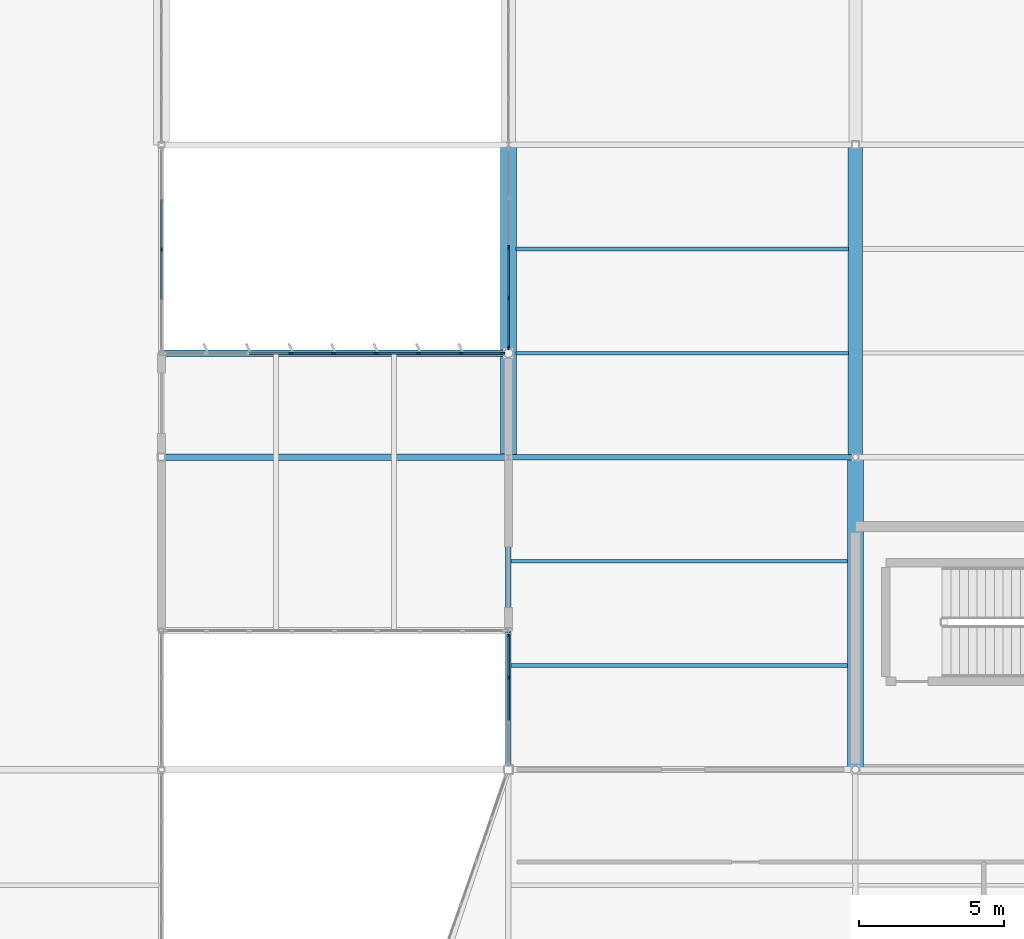
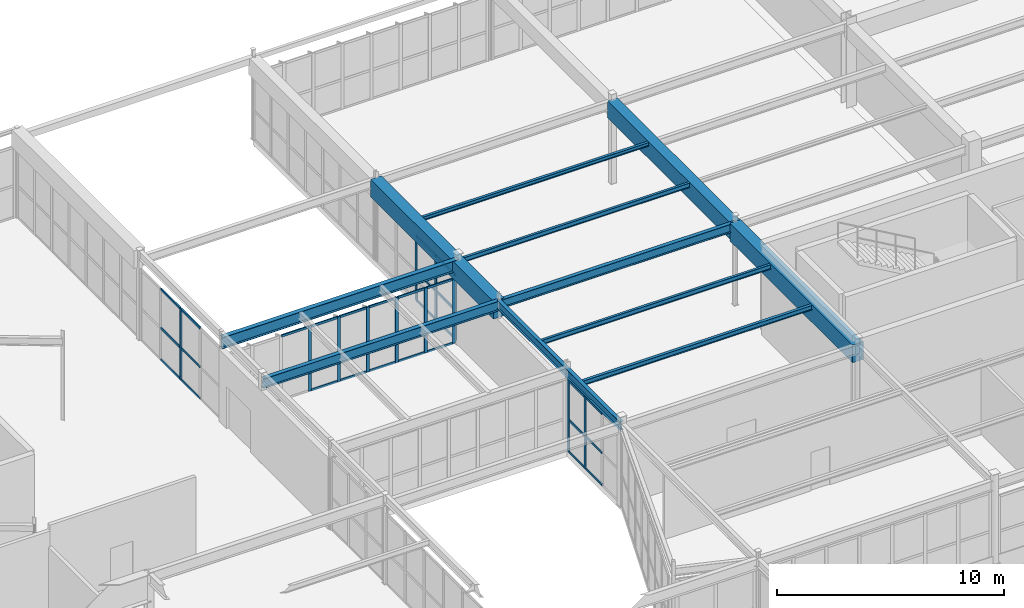
# One storey, part 105 of 186: 46 members, 11 beams, 4 elements without a shape of their own.
"""IFC4 building model written with IfcOpenShell, lengths in metres."""

from ifc_helpers import new_model, si_unit, direction, frame, origin, origin_2d, place, context, subcontext, project, spatial, rectangle, i_section, extrude, material, layer, layer_set, material_profile, profile_set, type_object, element, aggregate, save


model = new_model("IFC4")

# Units and contexts
model_context = context("Model", 3, precision=1e-05, world=origin(), true_north=direction((0.0, 1.0)))
body_context = subcontext(model_context, "Body", "Model", "MODEL_VIEW")
ifc_project = project(units=[si_unit("LENGTHUNIT", "METRE"), si_unit("AREAUNIT", "SQUARE_METRE"), si_unit("VOLUMEUNIT", "CUBIC_METRE"), si_unit("PLANEANGLEUNIT", "RADIAN"), si_unit("MASSUNIT", "GRAM", prefix="KILO")], contexts=[model_context])

# Site, building, storey
site_placement = place(None, origin())
site = spatial("IfcSite", under=ifc_project, at=site_placement, CompositionType="ELEMENT")
building_placement = place(site_placement, origin())
building = spatial("IfcBuilding", under=site, at=building_placement, Name="Tarnwether General Hospital", CompositionType="ELEMENT")
storey_placement = place(building_placement, frame((0.0, 0.0, 9.60009765625)))
storey = spatial("IfcBuildingStorey", under=building, at=storey_placement, Name="L02", CompositionType="ELEMENT", Elevation=9.60009765625)

# Beams
ifc_material_1 = material(Name="Steel Grade 350 (350 MPa)", Category="steel")
ifc_material_profile_1 = material_profile(ifc_material_1, i_section(OverallWidth=0.22900390625, OverallDepth=0.612060546875, WebThickness=0.011962890625, FlangeThickness=0.01953125, at=origin_2d()), Name="610UB125")
ifc_profile_set_1 = profile_set([ifc_material_profile_1], Name="Steel Grade 350 (350 MPa)")
beam_type_1 = type_object("IfcBeamType", Name="BM-G03", PredefinedType="BEAM", material=ifc_profile_set_1)
beam_1_placement = place(storey_placement, frame((132.0, 108.0, 4.183837890625), z_axis=(1.0, 0.0, 0.0), x_axis=(0.0, 1.0, 0.0)))
element("IfcBeam", 1, at=beam_1_placement, inside=storey, type_object=beam_type_1, Name="Court Link Bridge Girder North BMG-L02-13200_10800-14400_10800-1875", PredefinedType="BEAM", context=body_context, shape_type="SweptSolid", body=[
    extrude(i_section(OverallWidth=0.22900390625, OverallDepth=0.612060546875, WebThickness=0.011962890625, FlangeThickness=0.01953125, at=origin_2d()), origin(), (0.0, 0.0, 1.0), 12.0),
])
ifc_material_2 = material(Name="Steel Grade 350 (350 MPa)", Category="steel")
ifc_material_profile_2 = material_profile(ifc_material_2, i_section(OverallWidth=0.208984375, OverallDepth=0.528076171875, WebThickness=0.009521484375, FlangeThickness=0.01318359375, at=origin_2d()), Name="530UB82.0")
ifc_profile_set_2 = profile_set([ifc_material_profile_2], Name="Steel Grade 350 (350 MPa)")
beam_type_2 = type_object("IfcBeamType", Name="BM-G07", PredefinedType="BEAM", material=ifc_profile_set_2)
beam_2_placement = place(storey_placement, frame((132.0, 104.39990234375, 4.180908203125), z_axis=(1.0, 0.0, 0.0), x_axis=(0.0, 1.0, 0.0)))
element("IfcBeam", 2, at=beam_2_placement, inside=storey, type_object=beam_type_2, Name="Primary Girder BMG-L02-13200_10440-14400_10440-1562", PredefinedType="BEAM", context=body_context, shape_type="SweptSolid", body=[
    extrude(i_section(OverallWidth=0.208984375, OverallDepth=0.528076171875, WebThickness=0.009521484375, FlangeThickness=0.01318359375, at=origin_2d()), origin(), (0.0, 0.0, 1.0), 12.0),
])
ifc_material_3 = material(Name="Steel Grade 350 (350 MPa)", Category="steel")
ifc_material_profile_3 = material_profile(ifc_material_3, i_section(OverallWidth=0.19091796875, OverallDepth=0.4599609375, WebThickness=0.010009765625, FlangeThickness=0.01611328125, at=origin_2d()), Name="460UB82.1")
ifc_profile_set_3 = profile_set([ifc_material_profile_3], Name="Steel Grade 350 (350 MPa)")
beam_type_3 = type_object("IfcBeamType", Name="BM-G08", PredefinedType="BEAM", material=ifc_profile_set_3)
beam_3_placement = place(storey_placement, frame((144.0, 104.39990234375, 4.21484375), z_axis=(1.0, 0.0, 0.0), x_axis=(0.0, 1.0, 0.0)))
element("IfcBeam", 3, at=beam_3_placement, inside=storey, type_object=beam_type_3, Name="Primary Girder BMG-L02-14400_10440-15600_10440-1583", PredefinedType="BEAM", context=body_context, shape_type="SweptSolid", body=[
    extrude(i_section(OverallWidth=0.19091796875, OverallDepth=0.4599609375, WebThickness=0.010009765625, FlangeThickness=0.01611328125, at=origin_2d()), origin(), (0.0, 0.0, 1.0), 12.0),
])
ifc_material_4 = material(Name="Steel Grade 350 (350 MPa)", Category="steel")
ifc_material_profile_4 = material_profile(ifc_material_4, i_section(OverallWidth=0.18994140625, OverallDepth=0.4541015625, WebThickness=0.008544921875, FlangeThickness=0.0126953125, at=origin_2d()), Name="460UB67.1")
ifc_profile_set_4 = profile_set([ifc_material_profile_4], Name="Steel Grade 350 (350 MPa)")
beam_type_4 = type_object("IfcBeamType", Name="BM-G10", PredefinedType="BEAM", material=ifc_profile_set_4)
beam_4_placement = place(storey_placement, frame((144.0, 93.60009765625, 4.218017578125), z_axis=(0.0, 1.0, 0.0), x_axis=(-1.0, 0.0, 0.0)))
element("IfcBeam", 4, at=beam_4_placement, inside=storey, type_object=beam_type_4, Name="Primary Girder BMG-L02-14400_9360-14400_10440-1582", PredefinedType="BEAM", context=body_context, shape_type="SweptSolid", body=[
    extrude(i_section(OverallWidth=0.18994140625, OverallDepth=0.4541015625, WebThickness=0.008544921875, FlangeThickness=0.0126953125, at=origin_2d()), origin(), (0.0, 0.0, 1.0), 10.7998046875),
])
ifc_material_5 = material(Name="Concrete 40 MPa", Category="concrete")
ifc_material_profile_5 = material_profile(ifc_material_5, rectangle(XDim=0.550048828125, YDim=0.949951171875, at=origin_2d()), Name="RC-BM-550x950")
ifc_profile_set_5 = profile_set([ifc_material_profile_5], Name="Concrete 40 MPa")
beam_type_5 = type_object("IfcBeamType", Name="BM-G11", PredefinedType="BEAM", material=ifc_profile_set_5)
beam_5_placement = place(storey_placement, frame((144.0, 104.39990234375, 3.969970703125), z_axis=(0.0, 1.0, 0.0), x_axis=(-1.0, 0.0, 0.0)))
element("IfcBeam", 5, at=beam_5_placement, inside=storey, type_object=beam_type_5, Name="Primary Girder BMG-L02-14400_10440-14400_11520-1584", PredefinedType="BEAM", context=body_context, shape_type="SweptSolid", body=[
    extrude(rectangle(XDim=0.550048828125, YDim=0.949951171875, at=origin_2d()), origin(), (0.0, 0.0, 1.0), 10.800048828125),
])
beam_6_placement = place(storey_placement, frame((156.0, 93.60009765625, 3.969970703125), z_axis=(0.0, 1.0, 0.0), x_axis=(-1.0, 0.0, 0.0)))
element("IfcBeam", 6, at=beam_6_placement, inside=storey, type_object=beam_type_5, Name="Primary Girder BMG-L02-15600_9360-15600_10440-1600", PredefinedType="BEAM", context=body_context, shape_type="SweptSolid", body=[
    extrude(rectangle(XDim=0.550048828125, YDim=0.949951171875, at=origin_2d()), origin(), (0.0, 0.0, 1.0), 10.7998046875),
])
ifc_material_6 = material(Name="Concrete 40 MPa", Category="concrete")
ifc_material_profile_6 = material_profile(ifc_material_6, rectangle(XDim=0.5, YDim=0.89990234375, at=origin_2d()), Name="RC-BM-500x900")
ifc_profile_set_6 = profile_set([ifc_material_profile_6], Name="Concrete 40 MPa")
beam_type_6 = type_object("IfcBeamType", Name="BM-G12", PredefinedType="BEAM", material=ifc_profile_set_6)
beam_7_placement = place(storey_placement, frame((156.0, 104.39990234375, 3.994873046875), z_axis=(0.0, 1.0, 0.0), x_axis=(-1.0, 0.0, 0.0)))
element("IfcBeam", 7, at=beam_7_placement, inside=storey, type_object=beam_type_6, Name="Primary Girder BMG-L02-15600_10440-15600_11520-1602", PredefinedType="BEAM", context=body_context, shape_type="SweptSolid", body=[
    extrude(rectangle(XDim=0.5, YDim=0.89990234375, at=origin_2d()), origin(), (0.0, 0.0, 1.0), 10.800048828125),
])
ifc_material_7 = material(Name="Steel Grade 350 (350 MPa)", Category="steel")
ifc_material_profile_7 = material_profile(ifc_material_7, i_section(OverallWidth=0.14599609375, OverallDepth=0.251953125, WebThickness=0.006103515625, FlangeThickness=0.008544921875, at=origin_2d()), Name="250UB31.4")
ifc_profile_set_7 = profile_set([ifc_material_profile_7], Name="Steel Grade 350 (350 MPa)")
beam_type_7 = type_object("IfcBeamType", Name="BM-J10", PredefinedType="JOIST", material=ifc_profile_set_7)
beam_8_placement = place(storey_placement, frame((144.089111328125, 97.199951171875, 4.31884765625), z_axis=(1.0, 0.0, 0.0), x_axis=(0.0, 1.0, 0.0)))
element("IfcBeam", 8, at=beam_8_placement, inside=storey, type_object=beam_type_7, Name="Composite Floor Joist BMG-L02-14409_9720-15573_9720-1716", PredefinedType="JOIST", context=body_context, shape_type="SweptSolid", body=[
    extrude(i_section(OverallWidth=0.14599609375, OverallDepth=0.251953125, WebThickness=0.006103515625, FlangeThickness=0.008544921875, at=origin_2d()), origin(), (0.0, 0.0, 1.0), 11.641845703125),
])
ifc_material_8 = material(Name="Steel Grade 350 (350 MPa)", Category="steel")
ifc_material_profile_8 = material_profile(ifc_material_8, i_section(OverallWidth=0.1240234375, OverallDepth=0.248046875, WebThickness=0.0048828125, FlangeThickness=0.008056640625, at=origin_2d()), Name="250UB25.7")
ifc_profile_set_8 = profile_set([ifc_material_profile_8], Name="Steel Grade 350 (350 MPa)")
beam_type_8 = type_object("IfcBeamType", Name="BM-J11", PredefinedType="JOIST", material=ifc_profile_set_8)
beam_9_placement = place(storey_placement, frame((144.089111328125, 100.800048828125, 4.32080078125), z_axis=(1.0, 0.0, 0.0), x_axis=(0.0, 1.0, 0.0)))
element("IfcBeam", 9, at=beam_9_placement, inside=storey, type_object=beam_type_8, Name="Composite Floor Joist BMG-L02-14409_10080-15573_10080-1717", PredefinedType="JOIST", context=body_context, shape_type="SweptSolid", body=[
    extrude(i_section(OverallWidth=0.1240234375, OverallDepth=0.248046875, WebThickness=0.0048828125, FlangeThickness=0.008056640625, at=origin_2d()), origin(), (0.0, 0.0, 1.0), 11.641845703125),
])
beam_10_placement = place(storey_placement, frame((144.26904296875, 108.0, 4.32080078125), z_axis=(1.0, 0.0, 0.0), x_axis=(0.0, 1.0, 0.0)))
element("IfcBeam", 10, at=beam_10_placement, inside=storey, type_object=beam_type_8, Name="Composite Floor Joist BMG-L02-14427_10800-15576_10800-1718", PredefinedType="JOIST", context=body_context, shape_type="SweptSolid", body=[
    extrude(i_section(OverallWidth=0.1240234375, OverallDepth=0.248046875, WebThickness=0.0048828125, FlangeThickness=0.008056640625, at=origin_2d()), origin(), (0.0, 0.0, 1.0), 11.487060546875),
])
ifc_material_9 = material(Name="Steel Grade 350 (350 MPa)", Category="steel")
ifc_material_profile_9 = material_profile(ifc_material_9, i_section(OverallWidth=0.134033203125, OverallDepth=0.20703125, WebThickness=0.00634765625, FlangeThickness=0.009521484375, at=origin_2d()), Name="200UB29.8")
ifc_profile_set_9 = profile_set([ifc_material_profile_9], Name="Steel Grade 350 (350 MPa)")
beam_type_9 = type_object("IfcBeamType", Name="BM-J12", PredefinedType="JOIST", material=ifc_profile_set_9)
beam_11_placement = place(storey_placement, frame((144.26904296875, 111.60009765625, 4.34130859375), z_axis=(1.0, 0.0, 0.0), x_axis=(0.0, 1.0, 0.0)))
element("IfcBeam", 11, at=beam_11_placement, inside=storey, type_object=beam_type_9, Name="Composite Floor Joist BMG-L02-14427_11160-15576_11160-1719", PredefinedType="JOIST", context=body_context, shape_type="SweptSolid", body=[
    extrude(i_section(OverallWidth=0.134033203125, OverallDepth=0.20703125, WebThickness=0.00634765625, FlangeThickness=0.009521484375, at=origin_2d()), origin(), (0.0, 0.0, 1.0), 11.487060546875),
])

# Curtain wall, members
ifc_material_10 = material(Name="Anodised aluminium", Category="aluminium")
ifc_layer_1 = layer(ifc_material_10, 0.159912109375)
ifc_layer_set_1 = layer_set([ifc_layer_1], Name="Anodised aluminium")
curtain_wall_type_1 = type_object("IfcCurtainWallType", Name="CW-15", PredefinedType="NOTDEFINED", material=ifc_layer_set_1)
curtain_wall_1_placement = place(storey_placement, origin())
curtain_wall_1 = element("IfcCurtainWall", 12, at=curtain_wall_1_placement, inside=storey, type_object=curtain_wall_type_1, Name="Curtain Wall CWG-L02-1440_938-0447", PredefinedType="NOTDEFINED")
ifc_material_11 = material(Name="Anodised aluminium", Category="aluminium")
ifc_material_profile_10 = material_profile(ifc_material_11, rectangle(XDim=0.06005859375, YDim=0.159912109375, at=origin_2d()), Name="ALU-MUL-60x160")
ifc_profile_set_10 = profile_set([ifc_material_profile_10], Name="Anodised aluminium")
member_type_1 = type_object("IfcMemberType", Name="CW-ML1", PredefinedType="MULLION", material=ifc_profile_set_10)
member_1_placement = place(storey_placement, frame((144.0, 96.77734375, 0.0), z_axis=(0.0, 0.0, 1.0), x_axis=(-1.0, 0.0, 0.0)))
member_1 = element("IfcMember", 13, at=member_1_placement, type_object=member_type_1, Name="CW-15 mullion 3", PredefinedType="MULLION", context=body_context, shape_type="SweptSolid", body=[
    extrude(rectangle(XDim=0.06005859375, YDim=0.159912109375, at=origin_2d()), origin(), (0.0, 0.0, 1.0), 3.86279296875),
])
member_2_placement = place(storey_placement, frame((144.0, 98.257080078125, 0.0), z_axis=(0.0, 0.0, 1.0), x_axis=(-1.0, 0.0, 0.0)))
member_2 = element("IfcMember", 14, at=member_2_placement, type_object=member_type_1, Name="CW-15 mullion 4", PredefinedType="MULLION", context=body_context, shape_type="SweptSolid", body=[
    extrude(rectangle(XDim=0.06005859375, YDim=0.159912109375, at=origin_2d()), origin(), (0.0, 0.0, 1.0), 3.86279296875),
])

# Curtain wall, member
curtain_wall_2_placement = place(storey_placement, origin())
curtain_wall_2 = element("IfcCurtainWall", 15, at=curtain_wall_2_placement, inside=storey, type_object=curtain_wall_type_1, Name="Curtain Wall CWG-L02-1320_1151-0449", PredefinedType="NOTDEFINED")
member_3_placement = place(storey_placement, frame((132.0, 111.5810546875, 0.0), z_axis=(0.0, 0.0, 1.0), x_axis=(1.0, 0.0, 0.0)))
member_3 = element("IfcMember", 16, at=member_3_placement, type_object=member_type_1, Name="CW-15 mullion 3", PredefinedType="MULLION", context=body_context, shape_type="SweptSolid", body=[
    extrude(rectangle(XDim=0.06005859375, YDim=0.159912109375, at=origin_2d()), origin(), (0.0, 0.0, 1.0), 3.8349609375),
])

# Curtain wall, members
curtain_wall_3_placement = place(storey_placement, origin())
curtain_wall_3 = element("IfcCurtainWall", 17, at=curtain_wall_3_placement, inside=storey, type_object=curtain_wall_type_1, Name="Curtain Wall CWG-L02-1440_1082-0450", PredefinedType="NOTDEFINED")
member_4_placement = place(storey_placement, frame((144.0, 108.199951171875, 0.0), z_axis=(0.0, 0.0, 1.0), x_axis=(-1.0, 0.0, 0.0)))
member_4 = element("IfcMember", 18, at=member_4_placement, type_object=member_type_1, Name="CW-15 mullion 1", PredefinedType="MULLION", context=body_context, shape_type="SweptSolid", body=[
    extrude(rectangle(XDim=0.06005859375, YDim=0.159912109375, at=origin_2d()), origin(), (0.0, 0.0, 1.0), 3.47998046875),
])
member_5_placement = place(storey_placement, frame((144.0, 109.906494140625, 0.0), z_axis=(0.0, 0.0, 1.0), x_axis=(-1.0, 0.0, 0.0)))
member_5 = element("IfcMember", 19, at=member_5_placement, type_object=member_type_1, Name="CW-15 mullion 2", PredefinedType="MULLION", context=body_context, shape_type="SweptSolid", body=[
    extrude(rectangle(XDim=0.06005859375, YDim=0.159912109375, at=origin_2d()), origin(), (0.0, 0.0, 1.0), 3.47998046875),
])
member_6_placement = place(storey_placement, frame((144.0, 111.64306640625, 0.0), z_axis=(0.0, 0.0, 1.0), x_axis=(-1.0, 0.0, 0.0)))
member_6 = element("IfcMember", 20, at=member_6_placement, type_object=member_type_1, Name="CW-15 mullion 3", PredefinedType="MULLION", context=body_context, shape_type="SweptSolid", body=[
    extrude(rectangle(XDim=0.06005859375, YDim=0.159912109375, at=origin_2d()), origin(), (0.0, 0.0, 1.0), 3.47998046875),
])

ifc_material_12 = material(Name="Anodised aluminium", Category="aluminium")
ifc_layer_2 = layer(ifc_material_12, 0.159912109375)
ifc_layer_set_2 = layer_set([ifc_layer_2], Name="Anodised aluminium")
curtain_wall_type_2 = type_object("IfcCurtainWallType", Name="CW-21", PredefinedType="NOTDEFINED", material=ifc_layer_set_2)
curtain_wall_4_placement = place(storey_placement, origin())
curtain_wall_4 = element("IfcCurtainWall", 21, at=curtain_wall_4_placement, inside=storey, type_object=curtain_wall_type_2, Name="Curtain Wall CWG-L02-1321_1080-0474", PredefinedType="NOTDEFINED")
member_7_placement = place(storey_placement, frame((136.480712890625, 108.0, 0.0), z_axis=(0.0, 0.0, 1.0), x_axis=(0.0, 1.0, 0.0)))
member_7 = element("IfcMember", 22, at=member_7_placement, type_object=member_type_1, Name="CW-21 mullion 4", PredefinedType="MULLION", context=body_context, shape_type="SweptSolid", body=[
    extrude(rectangle(XDim=0.06005859375, YDim=0.159912109375, at=origin_2d()), origin(), (0.0, 0.0, 1.0), 3.47998046875),
])
member_8_placement = place(storey_placement, frame((137.950439453125, 108.0, 0.0), z_axis=(0.0, 0.0, 1.0), x_axis=(0.0, 1.0, 0.0)))
member_8 = element("IfcMember", 23, at=member_8_placement, type_object=member_type_1, Name="CW-21 mullion 5", PredefinedType="MULLION", context=body_context, shape_type="SweptSolid", body=[
    extrude(rectangle(XDim=0.06005859375, YDim=0.159912109375, at=origin_2d()), origin(), (0.0, 0.0, 1.0), 3.47998046875),
])
member_9_placement = place(storey_placement, frame((139.42041015625, 108.0, 0.0), z_axis=(0.0, 0.0, 1.0), x_axis=(0.0, 1.0, 0.0)))
member_9 = element("IfcMember", 24, at=member_9_placement, type_object=member_type_1, Name="CW-21 mullion 6", PredefinedType="MULLION", context=body_context, shape_type="SweptSolid", body=[
    extrude(rectangle(XDim=0.06005859375, YDim=0.159912109375, at=origin_2d()), origin(), (0.0, 0.0, 1.0), 3.47998046875),
])
member_10_placement = place(storey_placement, frame((140.89013671875, 108.0, 0.0), z_axis=(0.0, 0.0, 1.0), x_axis=(0.0, 1.0, 0.0)))
member_10 = element("IfcMember", 25, at=member_10_placement, type_object=member_type_1, Name="CW-21 mullion 7", PredefinedType="MULLION", context=body_context, shape_type="SweptSolid", body=[
    extrude(rectangle(XDim=0.06005859375, YDim=0.159912109375, at=origin_2d()), origin(), (0.0, 0.0, 1.0), 3.47998046875),
])
member_11_placement = place(storey_placement, frame((142.360107421875, 108.0, 0.0), z_axis=(0.0, 0.0, 1.0), x_axis=(0.0, 1.0, 0.0)))
member_11 = element("IfcMember", 26, at=member_11_placement, type_object=member_type_1, Name="CW-21 mullion 8", PredefinedType="MULLION", context=body_context, shape_type="SweptSolid", body=[
    extrude(rectangle(XDim=0.06005859375, YDim=0.159912109375, at=origin_2d()), origin(), (0.0, 0.0, 1.0), 3.47998046875),
])
member_12_placement = place(storey_placement, frame((143.800048828125, 108.0, 0.0), z_axis=(0.0, 0.0, 1.0), x_axis=(0.0, 1.0, 0.0)))
member_12 = element("IfcMember", 27, at=member_12_placement, type_object=member_type_1, Name="CW-21 mullion 9", PredefinedType="MULLION", context=body_context, shape_type="SweptSolid", body=[
    extrude(rectangle(XDim=0.06005859375, YDim=0.159912109375, at=origin_2d()), origin(), (0.0, 0.0, 1.0), 3.47998046875),
])

# Member
ifc_material_13 = material(Name="Anodised aluminium", Category="aluminium")
ifc_material_profile_11 = material_profile(ifc_material_13, rectangle(XDim=0.06005859375, YDim=0.1201171875, at=origin_2d()), Name="ALU-TRN-60x120")
ifc_profile_set_11 = profile_set([ifc_material_profile_11], Name="Anodised aluminium")
member_type_2 = type_object("IfcMemberType", Name="CW-TR1", PredefinedType="USERDEFINED", material=ifc_profile_set_11)
member_13_placement = place(storey_placement, frame((144.0, 95.297607421875, 0.02978515625), z_axis=(0.0, 1.0, 0.0), x_axis=(-1.0, 0.0, 0.0)))
member_13 = element("IfcMember", 28, at=member_13_placement, type_object=member_type_2, Name="CW-15 transom 2.1", ObjectType="TRANSOM", PredefinedType="USERDEFINED", context=body_context, shape_type="SweptSolid", body=[
    extrude(rectangle(XDim=0.06005859375, YDim=0.1201171875, at=origin_2d()), origin(), (0.0, 0.0, 1.0), 1.44970703125),
])

member_14_placement = place(storey_placement, frame((144.0, 95.297607421875, 1.73828125), z_axis=(0.0, 1.0, 0.0), x_axis=(-1.0, 0.0, 0.0)))
member_14 = element("IfcMember", 29, at=member_14_placement, type_object=member_type_2, Name="CW-15 transom 2.2", ObjectType="TRANSOM", PredefinedType="USERDEFINED", context=body_context, shape_type="SweptSolid", body=[
    extrude(rectangle(XDim=0.06005859375, YDim=0.1201171875, at=origin_2d()), origin(), (0.0, 0.0, 1.0), 1.44970703125),
])

member_15_placement = place(storey_placement, frame((144.0, 95.297607421875, 3.8330078125), z_axis=(0.0, 1.0, 0.0), x_axis=(-1.0, 0.0, 0.0)))
member_15 = element("IfcMember", 30, at=member_15_placement, type_object=member_type_2, Name="CW-15 transom 2.3", ObjectType="TRANSOM", PredefinedType="USERDEFINED", context=body_context, shape_type="SweptSolid", body=[
    extrude(rectangle(XDim=0.06005859375, YDim=0.1201171875, at=origin_2d()), origin(), (0.0, 0.0, 1.0), 1.44970703125),
])

member_16_placement = place(storey_placement, frame((144.0, 96.807373046875, 0.02978515625), z_axis=(0.0, 1.0, 0.0), x_axis=(-1.0, 0.0, 0.0)))
member_16 = element("IfcMember", 31, at=member_16_placement, type_object=member_type_2, Name="CW-15 transom 3.1", ObjectType="TRANSOM", PredefinedType="USERDEFINED", context=body_context, shape_type="SweptSolid", body=[
    extrude(rectangle(XDim=0.06005859375, YDim=0.1201171875, at=origin_2d()), origin(), (0.0, 0.0, 1.0), 1.419677734375),
])

member_17_placement = place(storey_placement, frame((144.0, 96.807373046875, 1.73828125), z_axis=(0.0, 1.0, 0.0), x_axis=(-1.0, 0.0, 0.0)))
member_17 = element("IfcMember", 32, at=member_17_placement, type_object=member_type_2, Name="CW-15 transom 3.2", ObjectType="TRANSOM", PredefinedType="USERDEFINED", context=body_context, shape_type="SweptSolid", body=[
    extrude(rectangle(XDim=0.06005859375, YDim=0.1201171875, at=origin_2d()), origin(), (0.0, 0.0, 1.0), 1.419677734375),
])

member_18_placement = place(storey_placement, frame((144.0, 96.807373046875, 3.8330078125), z_axis=(0.0, 1.0, 0.0), x_axis=(-1.0, 0.0, 0.0)))
member_18 = element("IfcMember", 33, at=member_18_placement, type_object=member_type_2, Name="CW-15 transom 3.3", ObjectType="TRANSOM", PredefinedType="USERDEFINED", context=body_context, shape_type="SweptSolid", body=[
    extrude(rectangle(XDim=0.06005859375, YDim=0.1201171875, at=origin_2d()), origin(), (0.0, 0.0, 1.0), 1.419677734375),
])

aggregate(curtain_wall_1, [member_1, member_2, member_13, member_14, member_15, member_16, member_17, member_18])

member_19_placement = place(storey_placement, frame((132.0, 113.306396484375, 0.02978515625), z_axis=(0.0, -1.0, 0.0), x_axis=(1.0, 0.0, 0.0)))
member_19 = element("IfcMember", 34, at=member_19_placement, type_object=member_type_2, Name="CW-15 transom 2.1", ObjectType="TRANSOM", PredefinedType="USERDEFINED", context=body_context, shape_type="SweptSolid", body=[
    extrude(rectangle(XDim=0.06005859375, YDim=0.1201171875, at=origin_2d()), origin(), (0.0, 0.0, 1.0), 1.6953125),
])

member_20_placement = place(storey_placement, frame((132.0, 113.306396484375, 1.7255859375), z_axis=(0.0, -1.0, 0.0), x_axis=(1.0, 0.0, 0.0)))
member_20 = element("IfcMember", 35, at=member_20_placement, type_object=member_type_2, Name="CW-15 transom 2.2", ObjectType="TRANSOM", PredefinedType="USERDEFINED", context=body_context, shape_type="SweptSolid", body=[
    extrude(rectangle(XDim=0.06005859375, YDim=0.1201171875, at=origin_2d()), origin(), (0.0, 0.0, 1.0), 1.6953125),
])

member_21_placement = place(storey_placement, frame((132.0, 113.306396484375, 3.804931640625), z_axis=(0.0, -1.0, 0.0), x_axis=(1.0, 0.0, 0.0)))
member_21 = element("IfcMember", 36, at=member_21_placement, type_object=member_type_2, Name="CW-15 transom 2.3", ObjectType="TRANSOM", PredefinedType="USERDEFINED", context=body_context, shape_type="SweptSolid", body=[
    extrude(rectangle(XDim=0.06005859375, YDim=0.1201171875, at=origin_2d()), origin(), (0.0, 0.0, 1.0), 1.6953125),
])

member_22_placement = place(storey_placement, frame((132.0, 111.551025390625, 0.02978515625), z_axis=(0.0, -1.0, 0.0), x_axis=(1.0, 0.0, 0.0)))
member_22 = element("IfcMember", 37, at=member_22_placement, type_object=member_type_2, Name="CW-15 transom 3.1", ObjectType="TRANSOM", PredefinedType="USERDEFINED", context=body_context, shape_type="SweptSolid", body=[
    extrude(rectangle(XDim=0.06005859375, YDim=0.1201171875, at=origin_2d()), origin(), (0.0, 0.0, 1.0), 1.695556640625),
])

member_23_placement = place(storey_placement, frame((132.0, 111.551025390625, 1.7255859375), z_axis=(0.0, -1.0, 0.0), x_axis=(1.0, 0.0, 0.0)))
member_23 = element("IfcMember", 38, at=member_23_placement, type_object=member_type_2, Name="CW-15 transom 3.2", ObjectType="TRANSOM", PredefinedType="USERDEFINED", context=body_context, shape_type="SweptSolid", body=[
    extrude(rectangle(XDim=0.06005859375, YDim=0.1201171875, at=origin_2d()), origin(), (0.0, 0.0, 1.0), 1.695556640625),
])

member_24_placement = place(storey_placement, frame((132.0, 111.551025390625, 3.804931640625), z_axis=(0.0, -1.0, 0.0), x_axis=(1.0, 0.0, 0.0)))
member_24 = element("IfcMember", 39, at=member_24_placement, type_object=member_type_2, Name="CW-15 transom 3.3", ObjectType="TRANSOM", PredefinedType="USERDEFINED", context=body_context, shape_type="SweptSolid", body=[
    extrude(rectangle(XDim=0.06005859375, YDim=0.1201171875, at=origin_2d()), origin(), (0.0, 0.0, 1.0), 1.695556640625),
])

aggregate(curtain_wall_2, [member_3, member_19, member_20, member_21, member_22, member_23, member_24])

member_25_placement = place(storey_placement, frame((144.0, 108.22998046875, 0.02978515625), z_axis=(0.0, 1.0, 0.0), x_axis=(-1.0, 0.0, 0.0)))
member_25 = element("IfcMember", 40, at=member_25_placement, type_object=member_type_2, Name="CW-15 transom 1.1", ObjectType="TRANSOM", PredefinedType="USERDEFINED", context=body_context, shape_type="SweptSolid", body=[
    extrude(rectangle(XDim=0.06005859375, YDim=0.1201171875, at=origin_2d()), origin(), (0.0, 0.0, 1.0), 1.646484375),
])

member_26_placement = place(storey_placement, frame((144.0, 108.22998046875, 1.56591796875), z_axis=(0.0, 1.0, 0.0), x_axis=(-1.0, 0.0, 0.0)))
member_26 = element("IfcMember", 41, at=member_26_placement, type_object=member_type_2, Name="CW-15 transom 1.2", ObjectType="TRANSOM", PredefinedType="USERDEFINED", context=body_context, shape_type="SweptSolid", body=[
    extrude(rectangle(XDim=0.06005859375, YDim=0.1201171875, at=origin_2d()), origin(), (0.0, 0.0, 1.0), 1.646484375),
])

member_27_placement = place(storey_placement, frame((144.0, 108.22998046875, 3.449951171875), z_axis=(0.0, 1.0, 0.0), x_axis=(-1.0, 0.0, 0.0)))
member_27 = element("IfcMember", 42, at=member_27_placement, type_object=member_type_2, Name="CW-15 transom 1.3", ObjectType="TRANSOM", PredefinedType="USERDEFINED", context=body_context, shape_type="SweptSolid", body=[
    extrude(rectangle(XDim=0.06005859375, YDim=0.1201171875, at=origin_2d()), origin(), (0.0, 0.0, 1.0), 1.646484375),
])

member_28_placement = place(storey_placement, frame((144.0, 109.9365234375, 0.02978515625), z_axis=(0.0, 1.0, 0.0), x_axis=(-1.0, 0.0, 0.0)))
member_28 = element("IfcMember", 43, at=member_28_placement, type_object=member_type_2, Name="CW-15 transom 2.1", ObjectType="TRANSOM", PredefinedType="USERDEFINED", context=body_context, shape_type="SweptSolid", body=[
    extrude(rectangle(XDim=0.06005859375, YDim=0.1201171875, at=origin_2d()), origin(), (0.0, 0.0, 1.0), 1.676513671875),
])

member_29_placement = place(storey_placement, frame((144.0, 109.9365234375, 1.56591796875), z_axis=(0.0, 1.0, 0.0), x_axis=(-1.0, 0.0, 0.0)))
member_29 = element("IfcMember", 44, at=member_29_placement, type_object=member_type_2, Name="CW-15 transom 2.2", ObjectType="TRANSOM", PredefinedType="USERDEFINED", context=body_context, shape_type="SweptSolid", body=[
    extrude(rectangle(XDim=0.06005859375, YDim=0.1201171875, at=origin_2d()), origin(), (0.0, 0.0, 1.0), 1.676513671875),
])

member_30_placement = place(storey_placement, frame((144.0, 109.9365234375, 3.449951171875), z_axis=(0.0, 1.0, 0.0), x_axis=(-1.0, 0.0, 0.0)))
member_30 = element("IfcMember", 45, at=member_30_placement, type_object=member_type_2, Name="CW-15 transom 2.3", ObjectType="TRANSOM", PredefinedType="USERDEFINED", context=body_context, shape_type="SweptSolid", body=[
    extrude(rectangle(XDim=0.06005859375, YDim=0.1201171875, at=origin_2d()), origin(), (0.0, 0.0, 1.0), 1.676513671875),
])

aggregate(curtain_wall_3, [member_4, member_5, member_6, member_25, member_26, member_27, member_28, member_29, member_30])

member_31_placement = place(storey_placement, frame((135.040771484375, 108.0, 3.449951171875), z_axis=(1.0, 0.0, 0.0), x_axis=(0.0, 1.0, 0.0)))
member_31 = element("IfcMember", 46, at=member_31_placement, type_object=member_type_2, Name="CW-21 transom 3.3", ObjectType="TRANSOM", PredefinedType="USERDEFINED", context=body_context, shape_type="SweptSolid", body=[
    extrude(rectangle(XDim=0.06005859375, YDim=0.1201171875, at=origin_2d()), origin(), (0.0, 0.0, 1.0), 1.409912109375),
])

member_32_placement = place(storey_placement, frame((136.5107421875, 108.0, 0.02978515625), z_axis=(1.0, 0.0, 0.0), x_axis=(0.0, 1.0, 0.0)))
member_32 = element("IfcMember", 47, at=member_32_placement, type_object=member_type_2, Name="CW-21 transom 4.1", ObjectType="TRANSOM", PredefinedType="USERDEFINED", context=body_context, shape_type="SweptSolid", body=[
    extrude(rectangle(XDim=0.06005859375, YDim=0.1201171875, at=origin_2d()), origin(), (0.0, 0.0, 1.0), 1.40966796875),
])

member_33_placement = place(storey_placement, frame((136.5107421875, 108.0, 1.56591796875), z_axis=(1.0, 0.0, 0.0), x_axis=(0.0, 1.0, 0.0)))
member_33 = element("IfcMember", 48, at=member_33_placement, type_object=member_type_2, Name="CW-21 transom 4.2", ObjectType="TRANSOM", PredefinedType="USERDEFINED", context=body_context, shape_type="SweptSolid", body=[
    extrude(rectangle(XDim=0.06005859375, YDim=0.1201171875, at=origin_2d()), origin(), (0.0, 0.0, 1.0), 1.40966796875),
])

member_34_placement = place(storey_placement, frame((136.5107421875, 108.0, 3.449951171875), z_axis=(1.0, 0.0, 0.0), x_axis=(0.0, 1.0, 0.0)))
member_34 = element("IfcMember", 49, at=member_34_placement, type_object=member_type_2, Name="CW-21 transom 4.3", ObjectType="TRANSOM", PredefinedType="USERDEFINED", context=body_context, shape_type="SweptSolid", body=[
    extrude(rectangle(XDim=0.06005859375, YDim=0.1201171875, at=origin_2d()), origin(), (0.0, 0.0, 1.0), 1.40966796875),
])

member_35_placement = place(storey_placement, frame((137.98046875, 108.0, 0.02978515625), z_axis=(1.0, 0.0, 0.0), x_axis=(0.0, 1.0, 0.0)))
member_35 = element("IfcMember", 50, at=member_35_placement, type_object=member_type_2, Name="CW-21 transom 5.1", ObjectType="TRANSOM", PredefinedType="USERDEFINED", context=body_context, shape_type="SweptSolid", body=[
    extrude(rectangle(XDim=0.06005859375, YDim=0.1201171875, at=origin_2d()), origin(), (0.0, 0.0, 1.0), 1.409912109375),
])

member_36_placement = place(storey_placement, frame((137.98046875, 108.0, 1.56591796875), z_axis=(1.0, 0.0, 0.0), x_axis=(0.0, 1.0, 0.0)))
member_36 = element("IfcMember", 51, at=member_36_placement, type_object=member_type_2, Name="CW-21 transom 5.2", ObjectType="TRANSOM", PredefinedType="USERDEFINED", context=body_context, shape_type="SweptSolid", body=[
    extrude(rectangle(XDim=0.06005859375, YDim=0.1201171875, at=origin_2d()), origin(), (0.0, 0.0, 1.0), 1.409912109375),
])

member_37_placement = place(storey_placement, frame((137.98046875, 108.0, 3.449951171875), z_axis=(1.0, 0.0, 0.0), x_axis=(0.0, 1.0, 0.0)))
member_37 = element("IfcMember", 52, at=member_37_placement, type_object=member_type_2, Name="CW-21 transom 5.3", ObjectType="TRANSOM", PredefinedType="USERDEFINED", context=body_context, shape_type="SweptSolid", body=[
    extrude(rectangle(XDim=0.06005859375, YDim=0.1201171875, at=origin_2d()), origin(), (0.0, 0.0, 1.0), 1.409912109375),
])

member_38_placement = place(storey_placement, frame((139.450439453125, 108.0, 0.02978515625), z_axis=(1.0, 0.0, 0.0), x_axis=(0.0, 1.0, 0.0)))
member_38 = element("IfcMember", 53, at=member_38_placement, type_object=member_type_2, Name="CW-21 transom 6.1", ObjectType="TRANSOM", PredefinedType="USERDEFINED", context=body_context, shape_type="SweptSolid", body=[
    extrude(rectangle(XDim=0.06005859375, YDim=0.1201171875, at=origin_2d()), origin(), (0.0, 0.0, 1.0), 1.409912109375),
])

member_39_placement = place(storey_placement, frame((139.450439453125, 108.0, 1.56591796875), z_axis=(1.0, 0.0, 0.0), x_axis=(0.0, 1.0, 0.0)))
member_39 = element("IfcMember", 54, at=member_39_placement, type_object=member_type_2, Name="CW-21 transom 6.2", ObjectType="TRANSOM", PredefinedType="USERDEFINED", context=body_context, shape_type="SweptSolid", body=[
    extrude(rectangle(XDim=0.06005859375, YDim=0.1201171875, at=origin_2d()), origin(), (0.0, 0.0, 1.0), 1.409912109375),
])

member_40_placement = place(storey_placement, frame((139.450439453125, 108.0, 3.449951171875), z_axis=(1.0, 0.0, 0.0), x_axis=(0.0, 1.0, 0.0)))
member_40 = element("IfcMember", 55, at=member_40_placement, type_object=member_type_2, Name="CW-21 transom 6.3", ObjectType="TRANSOM", PredefinedType="USERDEFINED", context=body_context, shape_type="SweptSolid", body=[
    extrude(rectangle(XDim=0.06005859375, YDim=0.1201171875, at=origin_2d()), origin(), (0.0, 0.0, 1.0), 1.409912109375),
])

member_41_placement = place(storey_placement, frame((140.920166015625, 108.0, 0.02978515625), z_axis=(1.0, 0.0, 0.0), x_axis=(0.0, 1.0, 0.0)))
member_41 = element("IfcMember", 56, at=member_41_placement, type_object=member_type_2, Name="CW-21 transom 7.1", ObjectType="TRANSOM", PredefinedType="USERDEFINED", context=body_context, shape_type="SweptSolid", body=[
    extrude(rectangle(XDim=0.06005859375, YDim=0.1201171875, at=origin_2d()), origin(), (0.0, 0.0, 1.0), 1.409912109375),
])

member_42_placement = place(storey_placement, frame((140.920166015625, 108.0, 1.56591796875), z_axis=(1.0, 0.0, 0.0), x_axis=(0.0, 1.0, 0.0)))
member_42 = element("IfcMember", 57, at=member_42_placement, type_object=member_type_2, Name="CW-21 transom 7.2", ObjectType="TRANSOM", PredefinedType="USERDEFINED", context=body_context, shape_type="SweptSolid", body=[
    extrude(rectangle(XDim=0.06005859375, YDim=0.1201171875, at=origin_2d()), origin(), (0.0, 0.0, 1.0), 1.409912109375),
])

member_43_placement = place(storey_placement, frame((140.920166015625, 108.0, 3.449951171875), z_axis=(1.0, 0.0, 0.0), x_axis=(0.0, 1.0, 0.0)))
member_43 = element("IfcMember", 58, at=member_43_placement, type_object=member_type_2, Name="CW-21 transom 7.3", ObjectType="TRANSOM", PredefinedType="USERDEFINED", context=body_context, shape_type="SweptSolid", body=[
    extrude(rectangle(XDim=0.06005859375, YDim=0.1201171875, at=origin_2d()), origin(), (0.0, 0.0, 1.0), 1.409912109375),
])

member_44_placement = place(storey_placement, frame((142.39013671875, 108.0, 0.02978515625), z_axis=(1.0, 0.0, 0.0), x_axis=(0.0, 1.0, 0.0)))
member_44 = element("IfcMember", 59, at=member_44_placement, type_object=member_type_2, Name="CW-21 transom 8.1", ObjectType="TRANSOM", PredefinedType="USERDEFINED", context=body_context, shape_type="SweptSolid", body=[
    extrude(rectangle(XDim=0.06005859375, YDim=0.1201171875, at=origin_2d()), origin(), (0.0, 0.0, 1.0), 1.3798828125),
])

member_45_placement = place(storey_placement, frame((142.39013671875, 108.0, 1.56591796875), z_axis=(1.0, 0.0, 0.0), x_axis=(0.0, 1.0, 0.0)))
member_45 = element("IfcMember", 60, at=member_45_placement, type_object=member_type_2, Name="CW-21 transom 8.2", ObjectType="TRANSOM", PredefinedType="USERDEFINED", context=body_context, shape_type="SweptSolid", body=[
    extrude(rectangle(XDim=0.06005859375, YDim=0.1201171875, at=origin_2d()), origin(), (0.0, 0.0, 1.0), 1.3798828125),
])

member_46_placement = place(storey_placement, frame((142.39013671875, 108.0, 3.449951171875), z_axis=(1.0, 0.0, 0.0), x_axis=(0.0, 1.0, 0.0)))
member_46 = element("IfcMember", 61, at=member_46_placement, type_object=member_type_2, Name="CW-21 transom 8.3", ObjectType="TRANSOM", PredefinedType="USERDEFINED", context=body_context, shape_type="SweptSolid", body=[
    extrude(rectangle(XDim=0.06005859375, YDim=0.1201171875, at=origin_2d()), origin(), (0.0, 0.0, 1.0), 1.3798828125),
])

aggregate(curtain_wall_4, [member_7, member_8, member_9, member_10, member_11, member_12, member_31, member_32, member_33, member_34, member_35, member_36, member_37, member_38, member_39, member_40, member_41, member_42, member_43, member_44, member_45, member_46])

save(model, "model.ifc")
